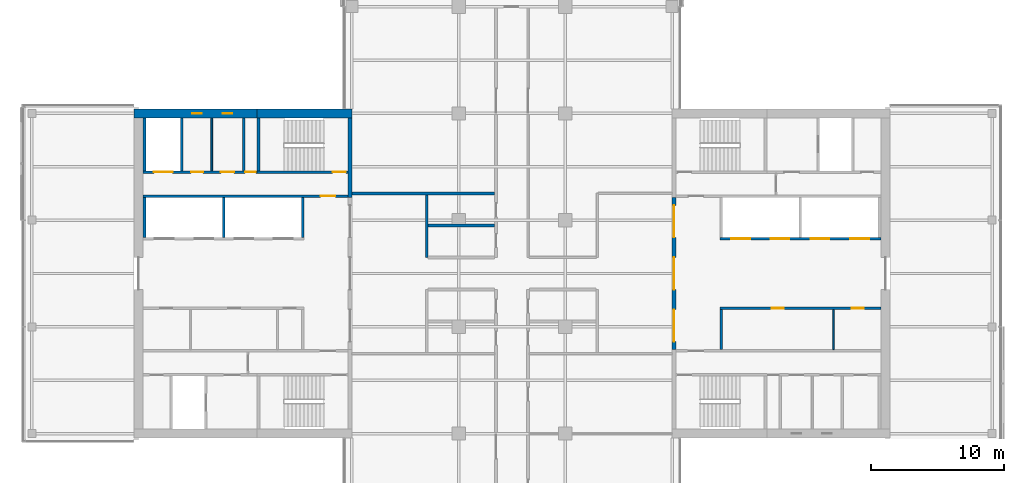
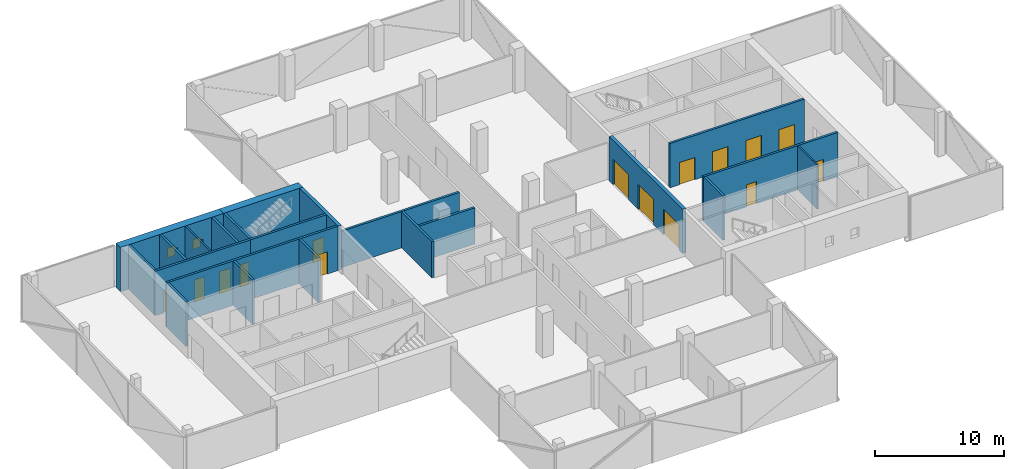
# One storey, part 15 of 22: 22 walls, 15 doors, 2 windows, 17 openings.
"""IFC4 building model written with IfcOpenShell, lengths in metres."""

import ifcopenshell
import ifcopenshell.guid

model = None  # the IFC model being written
_history = None  # IfcOwnerHistory: only IFC2X3 demands one
_inside = {}  # id of a spatial element -> (the spatial element, [elements in it])
_under = {}  # id of a project, library or spatial element -> (it, [spatial elements below it])
_declared = {}  # id of a project -> (the project, [libraries it declares])
_typed = {}  # id of a type object -> (the type object, [elements of that type])
_made_of = {}  # id of a material, layer set ... -> (it, [elements and type objects made of it])


def new_model(schema):
    """Start an empty IFC model of exactly this schema.

    Asked for "IFC4X3", IfcOpenShell would pick the latest addendum, in which some entities
    have other attributes; the version numbers below select the first issue.
    IFC2X3 requires an IfcOwnerHistory on every rooted entity: one is made here for all.
    """
    global model, _history
    if schema == "IFC4X3":
        model = ifcopenshell.file(schema_version=(4, 3, 0, 0))
    else:
        model = ifcopenshell.file(schema=schema)
    _inside.clear()
    _under.clear()
    _declared.clear()
    _typed.clear()
    _made_of.clear()
    _history = None
    if model.schema == "IFC2X3":
        org = make("IfcOrganization", Name="unknown")
        user = make(
            "IfcPersonAndOrganization",
            ThePerson=make("IfcPerson", FamilyName="unknown"),
            TheOrganization=org,
        )
        app = make(
            "IfcApplication",
            ApplicationDeveloper=org,
            Version="unknown",
            ApplicationFullName="unknown",
            ApplicationIdentifier="unknown",
        )
        _history = make(
            "IfcOwnerHistory",
            OwningUser=user,
            OwningApplication=app,
            ChangeAction="ADDED",
            CreationDate=0,
        )
    return model


def make(cls, **values):
    """One entity of the class cls with the attributes given. An attribute that is None is left unset."""
    return model.create_entity(
        cls, **{name: value for name, value in values.items() if value is not None}
    )


def rooted(cls, **values):
    """An entity with a GlobalId (a new one), such as an element, a storey or a relation."""
    return make(cls, GlobalId=ifcopenshell.guid.new(), OwnerHistory=_history, **values)


def si_unit(unit_type, name, prefix=None):
    """IfcSIUnit, for example si_unit("LENGTHUNIT", "METRE", prefix="MILLI")."""
    return make("IfcSIUnit", UnitType=unit_type, Prefix=prefix, Name=name)


def assignment(units):
    """IfcUnitAssignment: the units of a project."""
    return None if units is None else make("IfcUnitAssignment", Units=units)


def point(xyz):
    """IfcCartesianPoint."""
    return None if xyz is None else make("IfcCartesianPoint", Coordinates=xyz)


def direction(xyz):
    """IfcDirection."""
    return None if xyz is None else make("IfcDirection", DirectionRatios=xyz)


def frame(location, z_axis=None, x_axis=None):
    """IfcAxis2Placement3D, a coordinate frame: its origin and axes. An axis left out is left unset."""
    return make(
        "IfcAxis2Placement3D",
        Location=point(location),
        Axis=direction(z_axis),
        RefDirection=direction(x_axis),
    )


def frame_2d(location, x_axis=None):
    """IfcAxis2Placement2D, a coordinate frame in the plane: its origin and x axis."""
    return make(
        "IfcAxis2Placement2D", Location=point(location), RefDirection=direction(x_axis)
    )


def origin():
    """The frame at (0, 0, 0) with its axes left unset."""
    return frame((0.0, 0.0, 0.0))


def place(relative_to, where):
    """IfcLocalPlacement: puts the frame where relative to a parent placement (None: the world)."""
    return make(
        "IfcLocalPlacement", PlacementRelTo=relative_to, RelativePlacement=where
    )


def context(
    kind, dimensions, precision=None, world=None, true_north=None, identifier=None
):
    """IfcGeometricRepresentationContext, for example the 3D "Model" context."""
    return make(
        "IfcGeometricRepresentationContext",
        ContextIdentifier=identifier,
        ContextType=kind,
        CoordinateSpaceDimension=dimensions,
        Precision=precision,
        WorldCoordinateSystem=world,
        TrueNorth=true_north,
    )


def subcontext(parent, identifier, kind, view, scale=None):
    """IfcGeometricRepresentationSubContext, for example "Body" below "Model"."""
    return make(
        "IfcGeometricRepresentationSubContext",
        ContextIdentifier=identifier,
        ContextType=kind,
        ParentContext=parent,
        TargetScale=scale,
        TargetView=view,
    )


def project(units=None, contexts=None):
    """IfcProject with its units and contexts."""
    return rooted(
        "IfcProject",
        Name="project",
        RepresentationContexts=contexts,
        UnitsInContext=assignment(units),
    )


def spatial(cls, under=None, at=None, **own):
    """A site, building, storey or space (cls), placed at a placement, below another one or the project."""
    s = rooted(cls, ObjectPlacement=at, **own)
    if under is not None:
        _under.setdefault(under.id(), (under, []))[1].append(s)
    return s


def profile(cls, at=None, kind="AREA", **sizes):
    """A parametric profile (cls). Its sizes go by their IFC names, for example OverallWidth=200.0."""
    return make(cls, ProfileType=kind, Position=at, **sizes)


def rectangle(**sizes):
    """IfcRectangleProfileDef."""
    return profile("IfcRectangleProfileDef", **sizes)


def extrude(swept, where, along, depth):
    """IfcExtrudedAreaSolid: the profile swept, set in the frame where, extruded along a direction by depth."""
    return make(
        "IfcExtrudedAreaSolid",
        SweptArea=swept,
        Position=where,
        ExtrudedDirection=direction(along),
        Depth=depth,
    )


def shape(context_of_items, identifier, shape_type, items):
    """IfcShapeRepresentation: the items that make up one representation, for example the "Body"."""
    return make(
        "IfcShapeRepresentation",
        ContextOfItems=context_of_items,
        RepresentationIdentifier=identifier,
        RepresentationType=shape_type,
        Items=items,
    )


def material(Name=None, Category=None):
    """IfcMaterial."""
    return make("IfcMaterial", Name=Name, Category=Category)


def layer(
    of_material, thickness, ventilated=None, Name=None, Category=None, Priority=None
):
    """IfcMaterialLayer: one layer of a wall or slab, of a material (None: an air gap)."""
    return make(
        "IfcMaterialLayer",
        Material=of_material,
        LayerThickness=thickness,
        IsVentilated=ventilated,
        Name=Name,
        Category=Category,
        Priority=Priority,
    )


def layer_set(layers, Name=None):
    """IfcMaterialLayerSet."""
    return make("IfcMaterialLayerSet", MaterialLayers=layers, LayerSetName=Name)


def constituent(of_material, Name=None, Category=None, fraction=None):
    """IfcMaterialConstituent: one of the materials an element consists of."""
    return make(
        "IfcMaterialConstituent",
        Name=Name,
        Material=of_material,
        Fraction=fraction,
        Category=Category,
    )


def constituent_set(constituents=None, Name=None):
    """IfcMaterialConstituentSet."""
    return make(
        "IfcMaterialConstituentSet", Name=Name, MaterialConstituents=constituents
    )


def made_of(thing, what):
    """Note that an element or type object is made of a material, layer set ...; save() writes the relation."""
    if what is not None:
        _made_of.setdefault(what.id(), (what, []))[1].append(thing)
    return thing


def type_object(cls, material=None, **own):
    """A type object (cls), such as IfcWallType, which elements share."""
    return made_of(rooted(cls, **own), material)


def element(
    cls,
    number,
    at=None,
    inside=None,
    cuts=None,
    type_object=None,
    material=None,
    context=None,
    identifier="Body",
    shape_type=None,
    held_by="IfcProductDefinitionShape",
    body=None,
    shapes=None,
    **own,
):
    """One element of the class cls, such as IfcWall. Its Tag is "e" and its number.

    at: its placement. inside: the storey or other place that contains it. cuts: it is an
    opening in that element (IfcRelVoidsElement). A single representation is given by context,
    identifier, shape_type and body (its items); several are given by shapes. held_by: the class
    of the entity that holds the representations. save() writes the other relations.
    """
    e = rooted(cls, Tag="e%d" % number, ObjectPlacement=at, **own)
    if body is not None:
        shapes = [shape(context, identifier, shape_type, body)]
    if shapes is not None:
        e.Representation = make(held_by, Representations=shapes)
    if inside is not None:
        _inside.setdefault(inside.id(), (inside, []))[1].append(e)
    if cuts is not None:
        rooted(
            "IfcRelVoidsElement", RelatingBuildingElement=cuts, RelatedOpeningElement=e
        )
    if type_object is not None:
        _typed.setdefault(type_object.id(), (type_object, []))[1].append(e)
    return made_of(e, material)


def fill(opening, filler):
    """IfcRelFillsElement: the door or window that sits in an opening."""
    return rooted(
        "IfcRelFillsElement",
        RelatingOpeningElement=opening,
        RelatedBuildingElement=filler,
    )


def aggregate(whole, parts):
    """IfcRelAggregates: a whole, such as a stair, and the parts it consists of."""
    return rooted("IfcRelAggregates", RelatingObject=whole, RelatedObjects=parts)


def save(model, path):
    """Write the relations noted so far, then the file.

    IfcRelAggregates (storeys below a building ...), IfcRelContainedInSpatialStructure (elements
    in a storey), IfcRelDefinesByType, IfcRelAssociatesMaterial and IfcRelDeclares: one each for
    every whole, place, type object, material and project.
    """
    for whole, parts in _under.values():
        aggregate(whole, parts)
    for where, things in _inside.values():
        rooted(
            "IfcRelContainedInSpatialStructure",
            RelatedElements=things,
            RelatingStructure=where,
        )
    for kind, things in _typed.values():
        rooted("IfcRelDefinesByType", RelatedObjects=things, RelatingType=kind)
    for what, things in _made_of.values():
        rooted("IfcRelAssociatesMaterial", RelatedObjects=things, RelatingMaterial=what)
    for by, libraries in _declared.values():
        rooted("IfcRelDeclares", RelatingContext=by, RelatedDefinitions=libraries)
    model.write(path)


model = new_model("IFC4")

# Units and contexts
model_context = context("Model", 3, precision=1e-05, world=origin(), true_north=direction((0.0, 1.0)))
body_context = subcontext(model_context, "Body", "Model", "MODEL_VIEW")
ifc_project = project(units=[si_unit("LENGTHUNIT", "METRE"), si_unit("AREAUNIT", "SQUARE_METRE"), si_unit("VOLUMEUNIT", "CUBIC_METRE"), si_unit("PLANEANGLEUNIT", "RADIAN"), si_unit("MASSUNIT", "GRAM", prefix="KILO")], contexts=[model_context])

# Site, building, storey
site_placement = place(None, origin())
site = spatial("IfcSite", under=ifc_project, at=site_placement, CompositionType="ELEMENT")
building_placement = place(site_placement, origin())
building = spatial("IfcBuilding", under=site, at=building_placement, Name="Crosswind Convention Tower", CompositionType="ELEMENT")
storey_placement = place(building_placement, frame((0.0, 0.0, 125.300048828125)))
storey = spatial("IfcBuildingStorey", under=building, at=storey_placement, Name="L25", CompositionType="ELEMENT", Elevation=125.300048828125)

# Walls
ifc_material_1 = material(Name="Concrete blockwork", Category="masonry")
ifc_layer_1 = layer(ifc_material_1, 0.199951171875)
ifc_layer_set_1 = layer_set([ifc_layer_1], Name="Blockwork partition wall 200")
wall_type_1 = type_object("IfcWallType", Name="Blockwork partition wall 200", PredefinedType="PARTITIONING", material=ifc_layer_set_1)
wall_1_placement = place(storey_placement, frame((104.89990234375, 111.64990234375, 0.0), z_axis=(0.0, 0.0, 1.0), x_axis=(0.0, -1.0, 0.0)))
element("IfcWall", 1, at=wall_1_placement, inside=storey, type_object=wall_type_1, Name="Wall MRSE W L25", PredefinedType="PARTITIONING", context=body_context, shape_type="SweptSolid", body=[
    extrude(rectangle(XDim=3.949951171875, YDim=0.199951171875, at=frame_2d((1.97509765625, 0.0))), origin(), (0.0, 0.0, 1.0), 4.199951171875),
])
ifc_layer_2 = layer(ifc_material_1, 0.199951171875)
ifc_layer_set_2 = layer_set([ifc_layer_2], Name="COMPARTMENT WALL 200 BLOCKWORK")
wall_type_2 = type_object("IfcWallType", Name="COMPARTMENT WALL 200 BLOCKWORK", PredefinedType="SOLIDWALL", material=ifc_layer_set_2)
wall_2_placement = place(storey_placement, frame((118.60009765625, 101.199951171875, 0.0), z_axis=(0.0, 0.0, 1.0), x_axis=(0.0, 1.0, 0.0)))
element("IfcWall", 2, at=wall_2_placement, inside=storey, type_object=wall_type_2, Name="Compartment wall WT42", PredefinedType="SOLIDWALL", context=body_context, shape_type="SweptSolid", body=[
    extrude(rectangle(XDim=4.699951171875, YDim=0.199951171875, at=frame_2d((2.35009765625, 0.0))), origin(), (0.0, 0.0, 1.0), 3.436279296875),
])
wall_3_placement = place(storey_placement, frame((118.699951171875, 103.60009765625, 0.0), z_axis=(0.0, 0.0, 1.0), x_axis=(1.0, 0.0, 0.0)))
element("IfcWall", 3, at=wall_3_placement, inside=storey, type_object=wall_type_2, Name="Compartment wall WT42", PredefinedType="SOLIDWALL", context=body_context, shape_type="SweptSolid", body=[
    extrude(rectangle(XDim=5.0, YDim=0.199951171875, at=frame_2d((2.5, 0.0))), origin(), (0.0, 0.0, 1.0), 3.436279296875),
])
wall_4_placement = place(storey_placement, frame((113.0, 106.0, 0.0), z_axis=(0.0, 0.0, 1.0), x_axis=(1.0, 0.0, 0.0)))
element("IfcWall", 4, at=wall_4_placement, inside=storey, type_object=wall_type_2, Name="Compartment wall WT42", PredefinedType="SOLIDWALL", context=body_context, shape_type="SweptSolid", body=[
    extrude(rectangle(XDim=10.699951171875, YDim=0.199951171875, at=frame_2d((5.35009765625, 0.0))), origin(), (0.0, 0.0, 1.0), 3.436279296875),
])

# Wall, openings, doors
ifc_material_2 = material(Name="Concrete C50/60", Category="concrete")
ifc_layer_3 = layer(ifc_material_2, 0.300048828125)
ifc_layer_set_3 = layer_set([ifc_layer_3], Name="Concrete C50/60")
wall_type_3 = type_object("IfcWallType", Name="Concrete inner core wall 300", PredefinedType="SHEAR", material=ifc_layer_set_3)
wall_5_placement = place(storey_placement, frame((137.14990234375, 94.300048828125, 0.0), z_axis=(0.0, 0.0, 1.0), x_axis=(0.0, 1.0, 0.0)))
wall_5 = element("IfcWall", 5, at=wall_5_placement, inside=storey, type_object=wall_type_3, Name="Wall SCR E L25", PredefinedType="SHEAR", context=body_context, shape_type="SweptSolid", body=[
    extrude(rectangle(XDim=11.39990234375, YDim=0.300048828125, at=frame_2d((5.699951171875, 0.0))), origin(), (0.0, 0.0, 1.0), 4.199951171875),
])
opening_1_placement = place(wall_5_placement, frame((0.60009765625, 0.0, 0.0)))
opening_1 = element("IfcOpeningElement", 6, at=opening_1_placement, cuts=wall_5, Name="Opening D100", PredefinedType="OPENING", context=body_context, shape_type="SweptSolid", body=[
    extrude(rectangle(XDim=2.39990234375, YDim=2.39990234375, at=frame_2d((1.199951171875, 1.199951171875))), frame((0.0, 0.159912109375, 0.0), z_axis=(0.0, -1.0, 0.0), x_axis=(1.0, 0.0, 0.0)), (0.0, 0.0, 1.0), 0.320068359375),
])
opening_2_placement = place(wall_5_placement, frame((4.5, 0.0, 0.0)))
opening_2 = element("IfcOpeningElement", 7, at=opening_2_placement, cuts=wall_5, Name="Opening D100", PredefinedType="OPENING", context=body_context, shape_type="SweptSolid", body=[
    extrude(rectangle(XDim=2.39990234375, YDim=2.39990234375, at=frame_2d((1.199951171875, 1.199951171875))), frame((0.0, 0.159912109375, 0.0), z_axis=(0.0, -1.0, 0.0), x_axis=(1.0, 0.0, 0.0)), (0.0, 0.0, 1.0), 0.320068359375),
])
opening_3_placement = place(wall_5_placement, frame((8.39990234375, 0.0, 0.0)))
opening_3 = element("IfcOpeningElement", 8, at=opening_3_placement, cuts=wall_5, Name="Opening D100", PredefinedType="OPENING", context=body_context, shape_type="SweptSolid", body=[
    extrude(rectangle(XDim=2.39990234375, YDim=2.39990234375, at=frame_2d((1.199951171875, 1.199951171875))), frame((0.0, 0.159912109375, 0.0), z_axis=(0.0, -1.0, 0.0), x_axis=(1.0, 0.0, 0.0)), (0.0, 0.0, 1.0), 0.320068359375),
])
ifc_material_3 = material(Name="Steel fire door with glazed vision panels", Category="steel")
door_type_1 = type_object("IfcDoorType", Name="Fire-rated double door 2400x2400", OperationType="DOUBLE_DOOR_SINGLE_SWING", PredefinedType="DOOR", material=ifc_material_3)
door_1_placement = place(opening_1_placement, origin())
door_1 = element("IfcDoor", 9, at=door_1_placement, inside=storey, type_object=door_type_1, Name="Lobby door 1 L25", ObjectType="D100", OperationType="DOUBLE_DOOR_SINGLE_SWING", OverallHeight=2.39990234375, OverallWidth=2.39990234375, PredefinedType="DOOR", context=body_context, shape_type="SweptSolid", body=[
    extrude(rectangle(XDim=2.39990234375, YDim=2.39990234375, at=frame_2d((1.199951171875, 1.199951171875))), frame((0.0, 0.02490234375, 0.0), z_axis=(0.0, -1.0, 0.0), x_axis=(1.0, 0.0, 0.0)), (0.0, 0.0, 1.0), 0.050048828125),
])
fill(opening_1, door_1)
door_2_placement = place(opening_2_placement, origin())
door_2 = element("IfcDoor", 10, at=door_2_placement, inside=storey, type_object=door_type_1, Name="Lobby door 2 L25", ObjectType="D100", OperationType="DOUBLE_DOOR_SINGLE_SWING", OverallHeight=2.39990234375, OverallWidth=2.39990234375, PredefinedType="DOOR", context=body_context, shape_type="SweptSolid", body=[
    extrude(rectangle(XDim=2.39990234375, YDim=2.39990234375, at=frame_2d((1.199951171875, 1.199951171875))), frame((0.0, 0.02490234375, 0.0), z_axis=(0.0, -1.0, 0.0), x_axis=(1.0, 0.0, 0.0)), (0.0, 0.0, 1.0), 0.050048828125),
])
fill(opening_2, door_2)
door_3_placement = place(opening_3_placement, origin())
door_3 = element("IfcDoor", 11, at=door_3_placement, inside=storey, type_object=door_type_1, Name="Lobby door 3 L25", ObjectType="D100", OperationType="DOUBLE_DOOR_SINGLE_SWING", OverallHeight=2.39990234375, OverallWidth=2.39990234375, PredefinedType="DOOR", context=body_context, shape_type="SweptSolid", body=[
    extrude(rectangle(XDim=2.39990234375, YDim=2.39990234375, at=frame_2d((1.199951171875, 1.199951171875))), frame((0.0, 0.02490234375, 0.0), z_axis=(0.0, -1.0, 0.0), x_axis=(1.0, 0.0, 0.0)), (0.0, 0.0, 1.0), 0.050048828125),
])
fill(opening_3, door_3)

# Wall
wall_6_placement = place(storey_placement, frame((112.85009765625, 111.64990234375, 0.0), z_axis=(0.0, 0.0, 1.0), x_axis=(0.0, -1.0, 0.0)))
element("IfcWall", 12, at=wall_6_placement, inside=storey, type_object=wall_type_3, Name="Wall EM W L25", PredefinedType="SHEAR", context=body_context, shape_type="SweptSolid", body=[
    extrude(rectangle(XDim=5.949951171875, YDim=0.300048828125, at=frame_2d((2.97509765625, 0.0))), origin(), (0.0, 0.0, 1.0), 4.199951171875),
])

# Wall, openings, doors
ifc_layer_4 = layer(ifc_material_2, 0.199951171875)
ifc_layer_set_4 = layer_set([ifc_layer_4], Name="Concrete C50/60")
wall_type_4 = type_object("IfcWallType", Name="Concrete shaft and stair wall 200", PredefinedType="SHEAR", material=ifc_layer_set_4)
wall_7_placement = place(storey_placement, frame((140.60009765625, 102.60009765625, 0.0), z_axis=(0.0, 0.0, 1.0), x_axis=(1.0, 0.0, 0.0)))
wall_7 = element("IfcWall", 13, at=wall_7_placement, inside=storey, type_object=wall_type_4, Name="Wall RPFRONT E L25", PredefinedType="SHEAR", context=body_context, shape_type="SweptSolid", body=[
    extrude(rectangle(XDim=12.0498046875, YDim=0.199951171875, at=frame_2d((6.02490234375, 0.0))), origin(), (0.0, 0.0, 1.0), 4.199951171875),
])
opening_4_placement = place(wall_7_placement, frame((0.85009765625, 0.0, 0.0)))
opening_4 = element("IfcOpeningElement", 14, at=opening_4_placement, cuts=wall_7, Name="Opening LD2", PredefinedType="OPENING", context=body_context, shape_type="SweptSolid", body=[
    extrude(rectangle(XDim=1.39990234375, YDim=2.10009765625, at=frame_2d((0.699951171875, 1.050048828125))), frame((0.0, 0.10986328125, 0.0), z_axis=(0.0, -1.0, 0.0), x_axis=(1.0, 0.0, 0.0)), (0.0, 0.0, 1.0), 0.219970703125),
])
opening_5_placement = place(wall_7_placement, frame((3.800048828125, 0.0, 0.0)))
opening_5 = element("IfcOpeningElement", 15, at=opening_5_placement, cuts=wall_7, Name="Opening LD2", PredefinedType="OPENING", context=body_context, shape_type="SweptSolid", body=[
    extrude(rectangle(XDim=1.39990234375, YDim=2.10009765625, at=frame_2d((0.699951171875, 1.050048828125))), frame((0.0, 0.10986328125, 0.0), z_axis=(0.0, -1.0, 0.0), x_axis=(1.0, 0.0, 0.0)), (0.0, 0.0, 1.0), 0.219970703125),
])
opening_6_placement = place(wall_7_placement, frame((6.800048828125, 0.0, 0.0)))
opening_6 = element("IfcOpeningElement", 16, at=opening_6_placement, cuts=wall_7, Name="Opening LD2", PredefinedType="OPENING", context=body_context, shape_type="SweptSolid", body=[
    extrude(rectangle(XDim=1.39990234375, YDim=2.10009765625, at=frame_2d((0.699951171875, 1.050048828125))), frame((0.0, 0.10986328125, 0.0), z_axis=(0.0, -1.0, 0.0), x_axis=(1.0, 0.0, 0.0)), (0.0, 0.0, 1.0), 0.219970703125),
])
opening_7_placement = place(wall_7_placement, frame((9.77490234375, 0.0, 0.0)))
opening_7 = element("IfcOpeningElement", 17, at=opening_7_placement, cuts=wall_7, Name="Opening LD2", PredefinedType="OPENING", context=body_context, shape_type="SweptSolid", body=[
    extrude(rectangle(XDim=1.39990234375, YDim=2.10009765625, at=frame_2d((0.699951171875, 1.050048828125))), frame((0.0, 0.10986328125, 0.0), z_axis=(0.0, -1.0, 0.0), x_axis=(1.0, 0.0, 0.0)), (0.0, 0.0, 1.0), 0.219970703125),
])
ifc_material_4 = material(Name="Stainless steel", Category="steel")
door_type_2 = type_object("IfcDoorType", Name="Lift landing door 1400x2100", OperationType="DOUBLE_DOOR_SLIDING", PredefinedType="DOOR", material=ifc_material_4)
door_4_placement = place(opening_4_placement, origin())
door_4 = element("IfcDoor", 18, at=door_4_placement, inside=storey, type_object=door_type_2, Name="Landing door A1 L25", ObjectType="LD2", OperationType="DOUBLE_DOOR_SLIDING", OverallHeight=2.10009765625, OverallWidth=1.39990234375, PredefinedType="DOOR", context=body_context, shape_type="SweptSolid", body=[
    extrude(rectangle(XDim=1.39990234375, YDim=2.10009765625, at=frame_2d((0.699951171875, 1.050048828125))), frame((0.0, 0.02490234375, 0.0), z_axis=(0.0, -1.0, 0.0), x_axis=(1.0, 0.0, 0.0)), (0.0, 0.0, 1.0), 0.050048828125),
])
fill(opening_4, door_4)
door_5_placement = place(opening_5_placement, origin())
door_5 = element("IfcDoor", 19, at=door_5_placement, inside=storey, type_object=door_type_2, Name="Landing door A2 L25", ObjectType="LD2", OperationType="DOUBLE_DOOR_SLIDING", OverallHeight=2.10009765625, OverallWidth=1.39990234375, PredefinedType="DOOR", context=body_context, shape_type="SweptSolid", body=[
    extrude(rectangle(XDim=1.39990234375, YDim=2.10009765625, at=frame_2d((0.699951171875, 1.050048828125))), frame((0.0, 0.02490234375, 0.0), z_axis=(0.0, -1.0, 0.0), x_axis=(1.0, 0.0, 0.0)), (0.0, 0.0, 1.0), 0.050048828125),
])
fill(opening_5, door_5)
door_6_placement = place(opening_6_placement, origin())
door_6 = element("IfcDoor", 20, at=door_6_placement, inside=storey, type_object=door_type_2, Name="Landing door A3 L25", ObjectType="LD2", OperationType="DOUBLE_DOOR_SLIDING", OverallHeight=2.10009765625, OverallWidth=1.39990234375, PredefinedType="DOOR", context=body_context, shape_type="SweptSolid", body=[
    extrude(rectangle(XDim=1.39990234375, YDim=2.10009765625, at=frame_2d((0.699951171875, 1.050048828125))), frame((0.0, 0.02490234375, 0.0), z_axis=(0.0, -1.0, 0.0), x_axis=(1.0, 0.0, 0.0)), (0.0, 0.0, 1.0), 0.050048828125),
])
fill(opening_6, door_6)
door_7_placement = place(opening_7_placement, origin())
door_7 = element("IfcDoor", 21, at=door_7_placement, inside=storey, type_object=door_type_2, Name="Landing door A4 L25", ObjectType="LD2", OperationType="DOUBLE_DOOR_SLIDING", OverallHeight=2.10009765625, OverallWidth=1.39990234375, PredefinedType="DOOR", context=body_context, shape_type="SweptSolid", body=[
    extrude(rectangle(XDim=1.39990234375, YDim=2.10009765625, at=frame_2d((0.699951171875, 1.050048828125))), frame((0.0, 0.02490234375, 0.0), z_axis=(0.0, -1.0, 0.0), x_axis=(1.0, 0.0, 0.0)), (0.0, 0.0, 1.0), 0.050048828125),
])
fill(opening_7, door_7)

# Wall
wall_8_placement = place(storey_placement, frame((140.699951171875, 94.300048828125, 0.0), z_axis=(0.0, 0.0, 1.0), x_axis=(0.0, 1.0, 0.0)))
element("IfcWall", 22, at=wall_8_placement, inside=storey, type_object=wall_type_4, Name="Wall RMEND E L25", PredefinedType="SHEAR", context=body_context, shape_type="SweptSolid", body=[
    extrude(rectangle(XDim=3.0, YDim=0.199951171875, at=frame_2d((1.5, 0.0))), origin(), (0.0, 0.0, 1.0), 4.199951171875),
])

# Wall, openings, doors
wall_9_placement = place(storey_placement, frame((140.60009765625, 97.39990234375, 0.0), z_axis=(0.0, 0.0, 1.0), x_axis=(1.0, 0.0, 0.0)))
wall_9 = element("IfcWall", 23, at=wall_9_placement, inside=storey, type_object=wall_type_4, Name="Wall RMFRONT E L25", PredefinedType="SHEAR", context=body_context, shape_type="SweptSolid", body=[
    extrude(rectangle(XDim=12.0498046875, YDim=0.199951171875, at=frame_2d((6.02490234375, 0.0))), origin(), (0.0, 0.0, 1.0), 4.199951171875),
])
opening_8_placement = place(wall_9_placement, frame((3.8662109375, 0.0, 0.0)))
opening_8 = element("IfcOpeningElement", 24, at=opening_8_placement, cuts=wall_9, Name="Opening D106", PredefinedType="OPENING", context=body_context, shape_type="SweptSolid", body=[
    extrude(rectangle(XDim=0.89990234375, YDim=2.10009765625, at=frame_2d((0.449951171875, 1.050048828125))), frame((0.0, 0.10986328125, 0.0), z_axis=(0.0, -1.0, 0.0), x_axis=(1.0, 0.0, 0.0)), (0.0, 0.0, 1.0), 0.219970703125),
])
opening_9_placement = place(wall_9_placement, frame((9.853759765625, 0.0, 0.0)))
opening_9 = element("IfcOpeningElement", 25, at=opening_9_placement, cuts=wall_9, Name="Opening D106", PredefinedType="OPENING", context=body_context, shape_type="SweptSolid", body=[
    extrude(rectangle(XDim=0.89990234375, YDim=2.10009765625, at=frame_2d((0.449951171875, 1.050048828125))), frame((0.0, 0.10986328125, 0.0), z_axis=(0.0, -1.0, 0.0), x_axis=(1.0, 0.0, 0.0)), (0.0, 0.0, 1.0), 0.219970703125),
])
ifc_material_5 = material(Name="Timber door", Category="wood")
door_type_3 = type_object("IfcDoorType", Name="Single leaf door 900x2100", OperationType="NOTDEFINED", PredefinedType="DOOR", material=ifc_material_5)
door_8_placement = place(opening_8_placement, frame((0.89990234375, 0.0, 0.0), z_axis=(0.0, 0.0, 1.0), x_axis=(-1.0, 0.0, 0.0)))
door_8 = element("IfcDoor", 26, at=door_8_placement, inside=storey, type_object=door_type_3, Name="Door to pantry L25", ObjectType="D106", OperationType="SINGLE_SWING_LEFT", OverallHeight=2.10009765625, OverallWidth=0.89990234375, PredefinedType="DOOR", context=body_context, shape_type="SweptSolid", body=[
    extrude(rectangle(XDim=0.89990234375, YDim=2.10009765625, at=frame_2d((0.449951171875, 1.050048828125))), frame((0.0, 0.02490234375, 0.0), z_axis=(0.0, -1.0, 0.0), x_axis=(1.0, 0.0, 0.0)), (0.0, 0.0, 1.0), 0.050048828125),
])
fill(opening_8, door_8)
door_9_placement = place(opening_9_placement, frame((0.89990234375, 0.0, 0.0), z_axis=(0.0, 0.0, 1.0), x_axis=(-1.0, 0.0, 0.0)))
door_9 = element("IfcDoor", 27, at=door_9_placement, inside=storey, type_object=door_type_3, Name="Door to telecoms room L25", ObjectType="D106", OperationType="SINGLE_SWING_LEFT", OverallHeight=2.10009765625, OverallWidth=0.89990234375, PredefinedType="DOOR", context=body_context, shape_type="SweptSolid", body=[
    extrude(rectangle(XDim=0.89990234375, YDim=2.10009765625, at=frame_2d((0.449951171875, 1.050048828125))), frame((0.0, 0.02490234375, 0.0), z_axis=(0.0, -1.0, 0.0), x_axis=(1.0, 0.0, 0.0)), (0.0, 0.0, 1.0), 0.050048828125),
])
fill(opening_9, door_9)

# Walls
for number, where, z_axis, x_axis, name in (
    (28, (109.300048828125, 105.699951171875, 0.0), (0.0, 0.0, 1.0), (0.0, -1.0, 0.0), "Wall RMEND W L25"),
    (29, (103.39990234375, 105.699951171875, 0.0), (0.0, 0.0, 1.0), (0.0, -1.0, 0.0), "Wall RMSEP W L25"),
    (30, (97.449951171875, 105.699951171875, 0.0), (0.0, 0.0, 1.0), (0.0, -1.0, 0.0), "Wall RMEAST W L25"),
):
    element("IfcWall", number, at=place(storey_placement, frame(where, z_axis=z_axis, x_axis=x_axis)), inside=storey, type_object=wall_type_4, Name=name, PredefinedType="SHEAR", context=body_context, shape_type="SweptSolid", body=[
        extrude(rectangle(XDim=3.0, YDim=0.199951171875, at=frame_2d((1.5, 0.0))), origin(), (0.0, 0.0, 1.0), 4.199951171875),
    ])

# Wall, opening, door
wall_10_placement = place(storey_placement, frame((112.699951171875, 105.800048828125, 0.0), z_axis=(0.0, 0.0, 1.0), x_axis=(-1.0, 0.0, 0.0)))
wall_10 = element("IfcWall", 31, at=wall_10_placement, inside=storey, type_object=wall_type_4, Name="Wall HM W L25", PredefinedType="SHEAR", context=body_context, shape_type="SweptSolid", body=[
    extrude(rectangle(XDim=15.349853515625, YDim=0.199951171875, at=frame_2d((7.6748046875, 0.0))), origin(), (0.0, 0.0, 1.0), 4.199951171875),
])
opening_10_placement = place(wall_10_placement, frame((0.949951171875, 0.0, 0.0)))
opening_10 = element("IfcOpeningElement", 32, at=opening_10_placement, cuts=wall_10, Name="Opening D104", PredefinedType="OPENING", context=body_context, shape_type="SweptSolid", body=[
    extrude(rectangle(XDim=1.10009765625, YDim=2.10009765625, at=frame_2d((0.550048828125, 1.050048828125))), frame((0.0, 0.10986328125, 0.0), z_axis=(0.0, -1.0, 0.0), x_axis=(1.0, 0.0, 0.0)), (0.0, 0.0, 1.0), 0.219970703125),
])
ifc_material_6 = material(Name="Steel fire door", Category="steel")
door_type_4 = type_object("IfcDoorType", Name="Fire-rated single door 1100x2100", OperationType="NOTDEFINED", PredefinedType="DOOR", material=ifc_material_6)
door_10_placement = place(opening_10_placement, origin())
door_10 = element("IfcDoor", 33, at=door_10_placement, inside=storey, type_object=door_type_4, Name="Corridor door L25", ObjectType="D104", OperationType="SINGLE_SWING_LEFT", OverallHeight=2.10009765625, OverallWidth=1.10009765625, PredefinedType="DOOR", context=body_context, shape_type="SweptSolid", body=[
    extrude(rectangle(XDim=1.10009765625, YDim=2.10009765625, at=frame_2d((0.550048828125, 1.050048828125))), frame((0.0, 0.02490234375, 0.0), z_axis=(0.0, -1.0, 0.0), x_axis=(1.0, 0.0, 0.0)), (0.0, 0.0, 1.0), 0.050048828125),
])
fill(opening_10, door_10)

# Walls
for number, where, z_axis, x_axis, name in (
    (34, (106.0, 111.64990234375, 0.0), (0.0, 0.0, 1.0), (0.0, -1.0, 0.0), "Wall MSE W L25"),
    (35, (100.25, 111.64990234375, 0.0), (0.0, 0.0, 1.0), (0.0, -1.0, 0.0), "Wall MFSW W L25"),
    (36, (97.449951171875, 111.64990234375, 0.0), (0.0, 0.0, 1.0), (0.0, -1.0, 0.0), "Wall MFSE W L25"),
):
    element("IfcWall", number, at=place(storey_placement, frame(where, z_axis=z_axis, x_axis=x_axis)), inside=storey, type_object=wall_type_4, Name=name, PredefinedType="SHEAR", context=body_context, shape_type="SweptSolid", body=[
        extrude(rectangle(XDim=3.949951171875, YDim=0.199951171875, at=frame_2d((1.97509765625, 0.0))), origin(), (0.0, 0.0, 1.0), 4.199951171875),
    ])

# Wall, opening, door
wall_11_placement = place(storey_placement, frame((112.699951171875, 107.60009765625, 0.0), z_axis=(0.0, 0.0, 1.0), x_axis=(-1.0, 0.0, 0.0)))
wall_11 = element("IfcWall", 37, at=wall_11_placement, inside=storey, type_object=wall_type_4, Name="Wall MCW W L25", PredefinedType="SHEAR", context=body_context, shape_type="SweptSolid", body=[
    extrude(rectangle(XDim=6.800048828125, YDim=0.199951171875, at=frame_2d((3.39990234375, 0.0))), origin(), (0.0, 0.0, 1.0), 4.199951171875),
])
opening_11_placement = place(wall_11_placement, frame((0.14990234375, 0.0, 0.0)))
opening_11 = element("IfcOpeningElement", 38, at=opening_11_placement, cuts=wall_11, Name="Opening D103", PredefinedType="OPENING", context=body_context, shape_type="SweptSolid", body=[
    extrude(rectangle(XDim=1.0, YDim=2.10009765625, at=frame_2d((0.5, 1.050048828125))), frame((0.0, 0.10986328125, 0.0), z_axis=(0.0, -1.0, 0.0), x_axis=(1.0, 0.0, 0.0)), (0.0, 0.0, 1.0), 0.219970703125),
])
door_type_5 = type_object("IfcDoorType", Name="Fire-rated single door 1000x2100", OperationType="NOTDEFINED", PredefinedType="DOOR", material=ifc_material_6)
door_11_placement = place(opening_11_placement, frame((1.0, 0.0, 0.0), z_axis=(0.0, 0.0, 1.0), x_axis=(-1.0, 0.0, 0.0)))
door_11 = element("IfcDoor", 39, at=door_11_placement, inside=storey, type_object=door_type_5, Name="Stair ST4 door L25", ObjectType="D103", OperationType="SINGLE_SWING_RIGHT", OverallHeight=2.10009765625, OverallWidth=1.0, PredefinedType="DOOR", context=body_context, shape_type="SweptSolid", body=[
    extrude(rectangle(XDim=1.0, YDim=2.10009765625, at=frame_2d((0.5, 1.050048828125))), frame((0.0, 0.02490234375, 0.0), z_axis=(0.0, -1.0, 0.0), x_axis=(1.0, 0.0, 0.0)), (0.0, 0.0, 1.0), 0.050048828125),
])
fill(opening_11, door_11)

# Wall, openings, doors
wall_12_placement = place(storey_placement, frame((105.89990234375, 107.60009765625, 0.0), z_axis=(0.0, 0.0, 1.0), x_axis=(-1.0, 0.0, 0.0)))
wall_12 = element("IfcWall", 40, at=wall_12_placement, inside=storey, type_object=wall_type_4, Name="Wall MCX W L25", PredefinedType="SHEAR", context=body_context, shape_type="SweptSolid", body=[
    extrude(rectangle(XDim=8.5498046875, YDim=0.199951171875, at=frame_2d((4.27490234375, 0.0))), origin(), (0.0, 0.0, 1.0), 4.199951171875),
])
opening_12_placement = place(wall_12_placement, frame((0.10009765625, 0.0, 0.0)))
opening_12 = element("IfcOpeningElement", 41, at=opening_12_placement, cuts=wall_12, Name="Opening D105", PredefinedType="OPENING", context=body_context, shape_type="SweptSolid", body=[
    extrude(rectangle(XDim=0.800048828125, YDim=2.10009765625, at=frame_2d((0.39990234375, 1.050048828125))), frame((0.0, 0.10986328125, 0.0), z_axis=(0.0, -1.0, 0.0), x_axis=(1.0, 0.0, 0.0)), (0.0, 0.0, 1.0), 0.219970703125),
])
opening_13_placement = place(wall_12_placement, frame((1.725830078125, 0.0, 0.0)))
opening_13 = element("IfcOpeningElement", 42, at=opening_13_placement, cuts=wall_12, Name="Opening D103", PredefinedType="OPENING", context=body_context, shape_type="SweptSolid", body=[
    extrude(rectangle(XDim=1.0, YDim=2.10009765625, at=frame_2d((0.5, 1.050048828125))), frame((0.0, 0.10986328125, 0.0), z_axis=(0.0, -1.0, 0.0), x_axis=(1.0, 0.0, 0.0)), (0.0, 0.0, 1.0), 0.219970703125),
])
opening_14_placement = place(wall_12_placement, frame((4.063232421875, 0.0, 0.0)))
opening_14 = element("IfcOpeningElement", 43, at=opening_14_placement, cuts=wall_12, Name="Opening D106", PredefinedType="OPENING", context=body_context, shape_type="SweptSolid", body=[
    extrude(rectangle(XDim=0.89990234375, YDim=2.10009765625, at=frame_2d((0.449951171875, 1.050048828125))), frame((0.0, 0.10986328125, 0.0), z_axis=(0.0, -1.0, 0.0), x_axis=(1.0, 0.0, 0.0)), (0.0, 0.0, 1.0), 0.219970703125),
])
opening_15_placement = place(wall_12_placement, frame((6.35009765625, 0.0, 0.0)))
opening_15 = element("IfcOpeningElement", 44, at=opening_15_placement, cuts=wall_12, Name="Opening LD2", PredefinedType="OPENING", context=body_context, shape_type="SweptSolid", body=[
    extrude(rectangle(XDim=1.39990234375, YDim=2.10009765625, at=frame_2d((0.699951171875, 1.050048828125))), frame((0.0, 0.10986328125, 0.0), z_axis=(0.0, -1.0, 0.0), x_axis=(1.0, 0.0, 0.0)), (0.0, 0.0, 1.0), 0.219970703125),
])
door_12_placement = place(opening_13_placement, frame((1.0, 0.0, 0.0), z_axis=(0.0, 0.0, 1.0), x_axis=(-1.0, 0.0, 0.0)))
door_12 = element("IfcDoor", 45, at=door_12_placement, inside=storey, type_object=door_type_5, Name="Door to accessible wc L25", ObjectType="D103", OperationType="SINGLE_SWING_LEFT", OverallHeight=2.10009765625, OverallWidth=1.0, PredefinedType="DOOR", context=body_context, shape_type="SweptSolid", body=[
    extrude(rectangle(XDim=1.0, YDim=2.10009765625, at=frame_2d((0.5, 1.050048828125))), frame((0.0, 0.02490234375, 0.0), z_axis=(0.0, -1.0, 0.0), x_axis=(1.0, 0.0, 0.0)), (0.0, 0.0, 1.0), 0.050048828125),
])
fill(opening_13, door_12)
door_13_placement = place(opening_15_placement, origin())
door_13 = element("IfcDoor", 46, at=door_13_placement, inside=storey, type_object=door_type_2, Name="Landing door SV2 L25", ObjectType="LD2", OperationType="DOUBLE_DOOR_SLIDING", OverallHeight=2.10009765625, OverallWidth=1.39990234375, PredefinedType="DOOR", context=body_context, shape_type="SweptSolid", body=[
    extrude(rectangle(XDim=1.39990234375, YDim=2.10009765625, at=frame_2d((0.699951171875, 1.050048828125))), frame((0.0, 0.02490234375, 0.0), z_axis=(0.0, -1.0, 0.0), x_axis=(1.0, 0.0, 0.0)), (0.0, 0.0, 1.0), 0.050048828125),
])
fill(opening_15, door_13)
door_type_6 = type_object("IfcDoorType", Name="Riser access door 800x2100", OperationType="NOTDEFINED", PredefinedType="DOOR", material=ifc_material_6)
door_14_placement = place(opening_12_placement, frame((0.800048828125, 0.0, 0.0), z_axis=(0.0, 0.0, 1.0), x_axis=(-1.0, 0.0, 0.0)))
door_14 = element("IfcDoor", 47, at=door_14_placement, inside=storey, type_object=door_type_6, Name="Riser door L25", ObjectType="D105", OperationType="SINGLE_SWING_LEFT", OverallHeight=2.10009765625, OverallWidth=0.800048828125, PredefinedType="DOOR", context=body_context, shape_type="SweptSolid", body=[
    extrude(rectangle(XDim=0.800048828125, YDim=2.10009765625, at=frame_2d((0.39990234375, 1.050048828125))), frame((0.0, 0.02490234375, 0.0), z_axis=(0.0, -1.0, 0.0), x_axis=(1.0, 0.0, 0.0)), (0.0, 0.0, 1.0), 0.050048828125),
])
fill(opening_12, door_14)
door_15_placement = place(opening_14_placement, frame((0.89990234375, 0.0, 0.0), z_axis=(0.0, 0.0, 1.0), x_axis=(-1.0, 0.0, 0.0)))
door_15 = element("IfcDoor", 48, at=door_15_placement, inside=storey, type_object=door_type_3, Name="Door to wc L25", ObjectType="D106", OperationType="SINGLE_SWING_LEFT", OverallHeight=2.10009765625, OverallWidth=0.89990234375, PredefinedType="DOOR", context=body_context, shape_type="SweptSolid", body=[
    extrude(rectangle(XDim=0.89990234375, YDim=2.10009765625, at=frame_2d((0.449951171875, 1.050048828125))), frame((0.0, 0.02490234375, 0.0), z_axis=(0.0, -1.0, 0.0), x_axis=(1.0, 0.0, 0.0)), (0.0, 0.0, 1.0), 0.050048828125),
])
fill(opening_14, door_15)

# Walls
ifc_material_7 = material(Name="Gypsum plasterboard partition", Category="gypsum")
ifc_layer_5 = layer(ifc_material_7, 0.125)
ifc_layer_set_5 = layer_set([ifc_layer_5], Name="Drywall partition wall 125")
wall_type_5 = type_object("IfcWallType", Name="Drywall partition wall 125", PredefinedType="PARTITIONING", material=ifc_layer_set_5)
wall_13_placement = place(storey_placement, frame((149.094970703125, 94.300048828125, 0.0), z_axis=(0.0, 0.0, 1.0), x_axis=(0.0, 1.0, 0.0)))
element("IfcWall", 49, at=wall_13_placement, inside=storey, type_object=wall_type_5, Name="Wall RMP1 E L25", PredefinedType="PARTITIONING", context=body_context, shape_type="SweptSolid", body=[
    extrude(rectangle(XDim=3.0, YDim=0.125, at=frame_2d((1.5, 0.0))), origin(), (0.0, 0.0, 1.0), 4.199951171875),
])
wall_14_placement = place(storey_placement, frame((102.486083984375, 111.64990234375, 0.0), z_axis=(0.0, 0.0, 1.0), x_axis=(0.0, -1.0, 0.0)))
element("IfcWall", 50, at=wall_14_placement, inside=storey, type_object=wall_type_5, Name="Wall MWP1 W L25", PredefinedType="PARTITIONING", context=body_context, shape_type="SweptSolid", body=[
    extrude(rectangle(XDim=3.949951171875, YDim=0.125, at=frame_2d((1.97509765625, 0.0))), origin(), (0.0, 0.0, 1.0), 4.199951171875),
])
ifc_material_8 = material(Name="Concrete C60/75", Category="concrete")
ifc_constituent_1 = constituent(ifc_material_8, Name="Structure")
ifc_material_9 = material(Name="Terracotta rainscreen", Category="ceramic")
ifc_constituent_2 = constituent(ifc_material_9, Name="Facing")
ifc_constituent_set = constituent_set(constituents=[ifc_constituent_1, ifc_constituent_2], Name="Concrete C60/75, Terracotta rainscreen")
wall_type_6 = type_object("IfcWallType", Name="Terracotta rainscreen on concrete core wall 700", PredefinedType="SHEAR", material=ifc_constituent_set)
wall_15_placement = place(storey_placement, frame((113.0, 112.0, 0.0), z_axis=(0.0, 0.0, 1.0), x_axis=(-1.0, 0.0, 0.0)))
element("IfcWall", 51, at=wall_15_placement, inside=storey, type_object=wall_type_6, Name="Wall S1 W L25", PredefinedType="SHEAR", context=body_context, shape_type="SweptSolid", body=[
    extrude(rectangle(XDim=7.10009765625, YDim=0.699951171875, at=frame_2d((3.550048828125, 0.0))), origin(), (0.0, 0.0, 1.0), 4.199951171875),
])

# Wall, openings, windows
wall_16_placement = place(storey_placement, frame((105.89990234375, 112.0, 0.0), z_axis=(0.0, 0.0, 1.0), x_axis=(-1.0, 0.0, 0.0)))
wall_16 = element("IfcWall", 52, at=wall_16_placement, inside=storey, type_object=wall_type_6, Name="Wall S2 W L25", PredefinedType="SHEAR", context=body_context, shape_type="SweptSolid", body=[
    extrude(rectangle(XDim=9.25, YDim=0.699951171875, at=frame_2d((4.625, 0.0))), origin(), (0.0, 0.0, 1.0), 4.199951171875),
])
opening_16_placement = place(wall_16_placement, frame((1.875732421875, 0.0, 1.5)))
opening_16 = element("IfcOpeningElement", 53, at=opening_16_placement, cuts=wall_16, Name="Opening W2", PredefinedType="OPENING", context=body_context, shape_type="SweptSolid", body=[
    extrude(rectangle(XDim=0.699951171875, YDim=0.89990234375, at=frame_2d((0.35009765625, 0.449951171875))), frame((0.0, 0.35986328125, 0.0), z_axis=(0.0, -1.0, 0.0), x_axis=(1.0, 0.0, 0.0)), (0.0, 0.0, 1.0), 0.719970703125),
])
opening_17_placement = place(wall_16_placement, frame((4.163330078125, 0.0, 1.5)))
opening_17 = element("IfcOpeningElement", 54, at=opening_17_placement, cuts=wall_16, Name="Opening W2", PredefinedType="OPENING", context=body_context, shape_type="SweptSolid", body=[
    extrude(rectangle(XDim=0.699951171875, YDim=0.89990234375, at=frame_2d((0.35009765625, 0.449951171875))), frame((0.0, 0.35986328125, 0.0), z_axis=(0.0, -1.0, 0.0), x_axis=(1.0, 0.0, 0.0)), (0.0, 0.0, 1.0), 0.719970703125),
])
ifc_material_10 = material(Name="Obscure glass in aluminium frame", Category="aluminium")
window_type = type_object("IfcWindowType", Name="WC window 700x900", PartitioningType="SINGLE_PANEL", PredefinedType="WINDOW", material=ifc_material_10)
window_1_placement = place(opening_16_placement, origin())
window_1 = element("IfcWindow", 55, at=window_1_placement, inside=storey, type_object=window_type, Name="WC window L25", ObjectType="W2", OverallHeight=0.89990234375, OverallWidth=0.699951171875, PartitioningType="SINGLE_PANEL", PredefinedType="WINDOW", context=body_context, shape_type="SweptSolid", body=[
    extrude(rectangle(XDim=0.699951171875, YDim=0.89990234375, at=frame_2d((0.35009765625, 0.449951171875))), frame((0.0, 0.030029296875, 0.0), z_axis=(0.0, -1.0, 0.0), x_axis=(1.0, 0.0, 0.0)), (0.0, 0.0, 1.0), 0.06005859375),
])
fill(opening_16, window_1)
window_2_placement = place(opening_17_placement, origin())
window_2 = element("IfcWindow", 56, at=window_2_placement, inside=storey, type_object=window_type, Name="WC window L25", ObjectType="W2", OverallHeight=0.89990234375, OverallWidth=0.699951171875, PartitioningType="SINGLE_PANEL", PredefinedType="WINDOW", context=body_context, shape_type="SweptSolid", body=[
    extrude(rectangle(XDim=0.699951171875, YDim=0.89990234375, at=frame_2d((0.35009765625, 0.449951171875))), frame((0.0, 0.030029296875, 0.0), z_axis=(0.0, -1.0, 0.0), x_axis=(1.0, 0.0, 0.0)), (0.0, 0.0, 1.0), 0.06005859375),
])
fill(opening_17, window_2)

save(model, "model.ifc")
